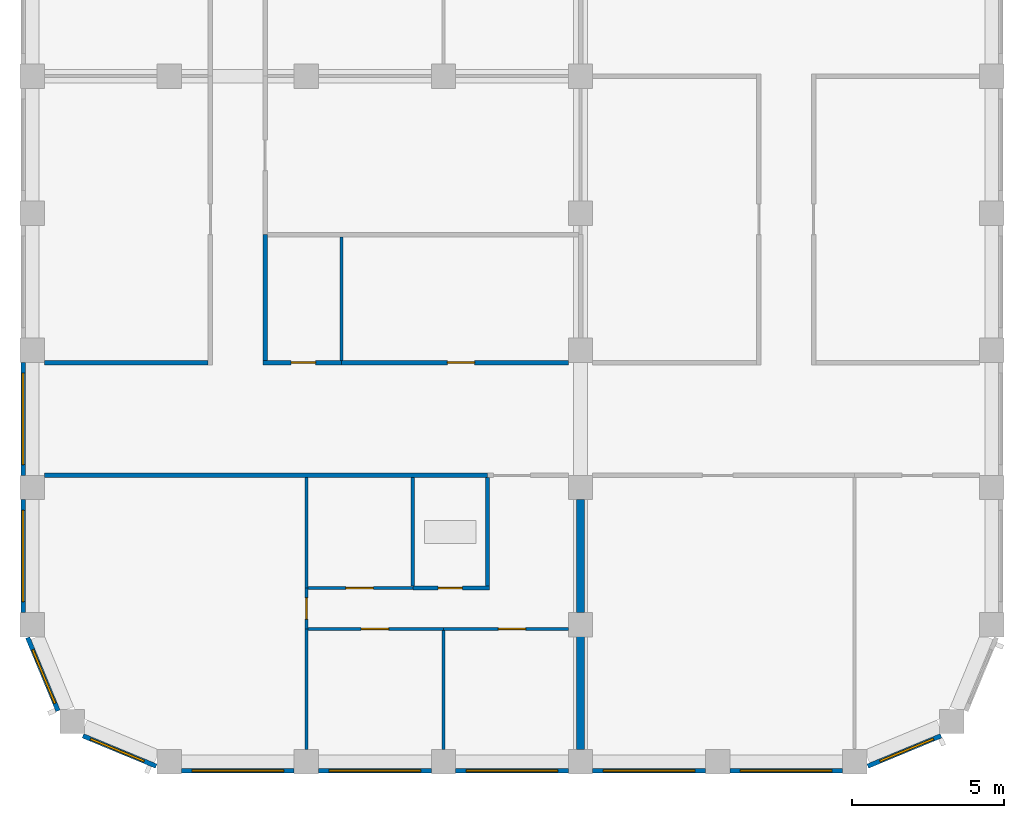
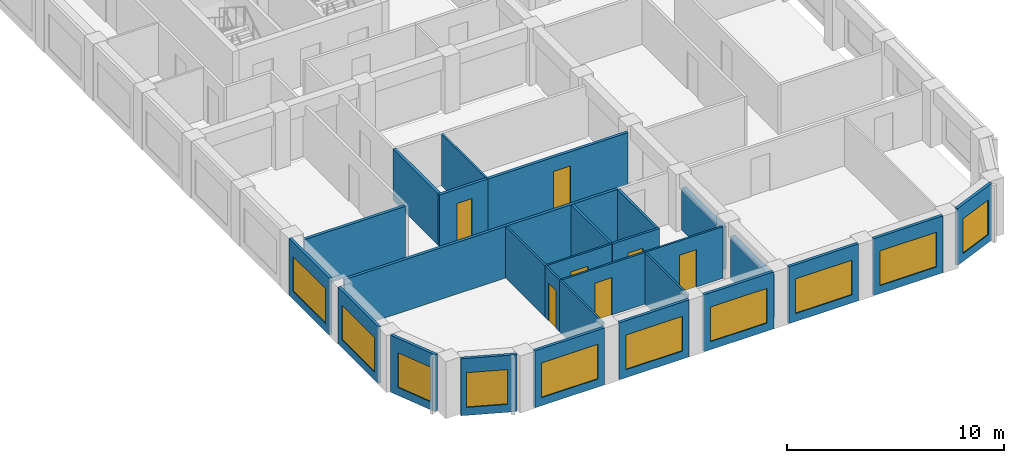
# One storey, part 2 of 9: 28 walls, 10 windows, 7 doors, 17 openings.
"""IFC4 building model written with IfcOpenShell, lengths in metres."""

from ifc_helpers import new_model, si_unit, direction, frame, frame_2d, origin, place, context, subcontext, project, spatial, rectangle, extrude, material, layer, layer_set, type_object, element, fill, save


model = new_model("IFC4")

# Units and contexts
model_context = context("Model", 3, precision=1e-05, world=origin(), true_north=direction((0.0, 1.0)))
body_context = subcontext(model_context, "Body", "Model", "MODEL_VIEW")
ifc_project = project(units=[si_unit("LENGTHUNIT", "METRE"), si_unit("AREAUNIT", "SQUARE_METRE"), si_unit("VOLUMEUNIT", "CUBIC_METRE"), si_unit("PLANEANGLEUNIT", "RADIAN"), si_unit("MASSUNIT", "GRAM", prefix="KILO")], contexts=[model_context])

# Site, building, storey
site_placement = place(None, origin())
site = spatial("IfcSite", under=ifc_project, at=site_placement, CompositionType="ELEMENT")
building_placement = place(site_placement, origin())
building = spatial("IfcBuilding", under=site, at=building_placement, Name="Girih Gate Residences", CompositionType="ELEMENT")
storey_placement = place(building_placement, frame((0.0, 0.0, 213.294921875)))
storey = spatial("IfcBuildingStorey", under=building, at=storey_placement, Name="L59", CompositionType="ELEMENT", Elevation=213.294921875)

# Walls
ifc_material_1 = material(Name="Gypsum board on steel studs", Category="steel")
ifc_layer_1 = layer(ifc_material_1, 0.25)
ifc_layer_set_1 = layer_set([ifc_layer_1], Name="Acoustic separating wall 250 mm")
wall_type_1 = type_object("IfcWallType", Name="Acoustic separating wall 250 mm", PredefinedType="PARTITIONING", material=ifc_layer_set_1)
for number, where, z_axis, x_axis, name in (
    (1, (18.0, 0.39990234375, 0.0), (0.0, 0.0, 1.0), (0.0, 1.0, 0.0), "L59 partition"),
    (2, (18.0, 4.89990234375, 0.0), (0.0, 0.0, 1.0), (0.0, 1.0, 0.0), "L59 partition"),
):
    element("IfcWall", number, at=place(storey_placement, frame(where, z_axis=z_axis, x_axis=x_axis)), inside=storey, type_object=wall_type_1, Name=name, PredefinedType="PARTITIONING", context=body_context, shape_type="SweptSolid", body=[
        extrude(rectangle(XDim=3.7001953125, YDim=0.25, at=frame_2d((1.85009765625, 0.0))), origin(), (0.0, 0.0, 1.0), 2.380126953125),
    ])
ifc_layer_2 = layer(ifc_material_1, 0.14990234375)
ifc_layer_set_2 = layer_set([ifc_layer_2], Name="Compartment wall 150 mm")
wall_type_2 = type_object("IfcWallType", Name="Compartment wall 150 mm", PredefinedType="PARTITIONING", material=ifc_layer_set_2)
wall_1_placement = place(storey_placement, frame((0.39990234375, 9.39990234375, 0.0), z_axis=(0.0, 0.0, 1.0), x_axis=(1.0, 0.0, 0.0)))
element("IfcWall", 3, at=wall_1_placement, inside=storey, type_object=wall_type_2, Name="L59 partition", PredefinedType="PARTITIONING", context=body_context, shape_type="SweptSolid", body=[
    extrude(rectangle(XDim=14.550048828125, YDim=0.14990234375, at=frame_2d((7.27490234375, 0.0))), origin(), (0.0, 0.0, 1.0), 2.900146484375),
])

# Wall, opening, door
wall_2_placement = place(storey_placement, frame((10.14990234375, 13.10009765625, 0.0), z_axis=(0.0, 0.0, 1.0), x_axis=(1.0, 0.0, 0.0)))
wall_2 = element("IfcWall", 4, at=wall_2_placement, inside=storey, type_object=wall_type_2, Name="L59 partition", PredefinedType="PARTITIONING", context=body_context, shape_type="SweptSolid", body=[
    extrude(rectangle(XDim=7.4501953125, YDim=0.14990234375, at=frame_2d((3.72509765625, 0.0))), origin(), (0.0, 0.0, 1.0), 2.900146484375),
])
opening_1_placement = place(wall_2_placement, frame((3.47509765625, 0.0, 0.0)))
opening_1 = element("IfcOpeningElement", 5, at=opening_1_placement, cuts=wall_2, Name="Opening A59-029", PredefinedType="OPENING", context=body_context, shape_type="SweptSolid", body=[
    extrude(rectangle(XDim=0.89990234375, YDim=2.10009765625, at=frame_2d((0.449951171875, 1.050048828125))), frame((0.0, 0.0849609375, 0.0), z_axis=(0.0, -1.0, 0.0), x_axis=(1.0, 0.0, 0.0)), (0.0, 0.0, 1.0), 0.169921875),
])
ifc_material_2 = material(Name="Timber", Category="wood")
door_type_1 = type_object("IfcDoorType", Name="Service room door 900x2100", OperationType="NOTDEFINED", PredefinedType="DOOR", material=ifc_material_2)
door_1_placement = place(opening_1_placement, origin())
door_1 = element("IfcDoor", 6, at=door_1_placement, inside=storey, type_object=door_type_1, Name="Door A59-029", OperationType="SINGLE_SWING_RIGHT", OverallHeight=2.10009765625, OverallWidth=0.89990234375, PredefinedType="DOOR", context=body_context, shape_type="SweptSolid", body=[
    extrude(rectangle(XDim=0.89990234375, YDim=2.10009765625, at=frame_2d((0.449951171875, 1.050048828125))), frame((0.0, 0.02490234375, 0.0), z_axis=(0.0, -1.0, 0.0), x_axis=(1.0, 0.0, 0.0)), (0.0, 0.0, 1.0), 0.050048828125),
])
fill(opening_1, door_1)

wall_3_placement = place(storey_placement, frame((7.574951171875, 13.10009765625, 0.0), z_axis=(0.0, 0.0, 1.0), x_axis=(1.0, 0.0, 0.0)))
wall_3 = element("IfcWall", 7, at=wall_3_placement, inside=storey, type_object=wall_type_2, Name="L59 partition", PredefinedType="PARTITIONING", context=body_context, shape_type="SweptSolid", body=[
    extrude(rectangle(XDim=2.574951171875, YDim=0.14990234375, at=frame_2d((1.28759765625, 0.0))), origin(), (0.0, 0.0, 1.0), 2.900146484375),
])
opening_2_placement = place(wall_3_placement, frame((0.925048828125, 0.0, 0.0)))
opening_2 = element("IfcOpeningElement", 8, at=opening_2_placement, cuts=wall_3, Name="Opening A59-030", PredefinedType="OPENING", context=body_context, shape_type="SweptSolid", body=[
    extrude(rectangle(XDim=0.800048828125, YDim=2.10009765625, at=frame_2d((0.39990234375, 1.050048828125))), frame((0.0, 0.0849609375, 0.0), z_axis=(0.0, -1.0, 0.0), x_axis=(1.0, 0.0, 0.0)), (0.0, 0.0, 1.0), 0.169921875),
])
door_type_2 = type_object("IfcDoorType", Name="Bathroom door 800x2100", OperationType="NOTDEFINED", PredefinedType="DOOR", material=ifc_material_2)
door_2_placement = place(opening_2_placement, origin())
door_2 = element("IfcDoor", 9, at=door_2_placement, inside=storey, type_object=door_type_2, Name="Door A59-030", OperationType="SINGLE_SWING_RIGHT", OverallHeight=2.10009765625, OverallWidth=0.800048828125, PredefinedType="DOOR", context=body_context, shape_type="SweptSolid", body=[
    extrude(rectangle(XDim=0.800048828125, YDim=2.10009765625, at=frame_2d((0.39990234375, 1.050048828125))), frame((0.0, 0.02490234375, 0.0), z_axis=(0.0, -1.0, 0.0), x_axis=(1.0, 0.0, 0.0)), (0.0, 0.0, 1.0), 0.050048828125),
])
fill(opening_2, door_2)

# Walls
wall_4_placement = place(storey_placement, frame((0.39990234375, 13.10009765625, 0.0), z_axis=(0.0, 0.0, 1.0), x_axis=(1.0, 0.0, 0.0)))
element("IfcWall", 10, at=wall_4_placement, inside=storey, type_object=wall_type_2, Name="L59 partition", PredefinedType="PARTITIONING", context=body_context, shape_type="SweptSolid", body=[
    extrude(rectangle(XDim=5.375, YDim=0.14990234375, at=frame_2d((2.6875, 0.0))), origin(), (0.0, 0.0, 1.0), 2.900146484375),
])
wall_5_placement = place(storey_placement, frame((7.64990234375, 13.175048828125, 0.0), z_axis=(0.0, 0.0, 1.0), x_axis=(0.0, 1.0, 0.0)))
element("IfcWall", 11, at=wall_5_placement, inside=storey, type_object=wall_type_2, Name="L59 partition", PredefinedType="PARTITIONING", context=body_context, shape_type="SweptSolid", body=[
    extrude(rectangle(XDim=4.125, YDim=0.14990234375, at=frame_2d((2.0625, 0.0))), origin(), (0.0, 0.0, 1.0), 2.900146484375),
])
ifc_layer_3 = layer(ifc_material_1, 0.10009765625)
ifc_layer_set_3 = layer_set([ifc_layer_3], Name="Partition 100 mm")
wall_type_3 = type_object("IfcWallType", Name="Partition 100 mm", PredefinedType="PARTITIONING", material=ifc_layer_set_3)
wall_6_placement = place(storey_placement, frame((13.5, 0.39990234375, 0.0), z_axis=(0.0, 0.0, 1.0), x_axis=(0.0, 1.0, 0.0)))
element("IfcWall", 12, at=wall_6_placement, inside=storey, type_object=wall_type_3, Name="L59 partition", PredefinedType="PARTITIONING", context=body_context, shape_type="SweptSolid", body=[
    extrude(rectangle(XDim=3.91015625, YDim=0.10009765625, at=frame_2d((1.955078125, 0.0))), origin(), (0.0, 0.0, 1.0), 2.900146484375),
])

# Wall, opening, door
wall_7_placement = place(storey_placement, frame((13.5, 4.360107421875, 0.0), z_axis=(0.0, 0.0, 1.0), x_axis=(-1.0, 0.0, 0.0)))
wall_7 = element("IfcWall", 13, at=wall_7_placement, inside=storey, type_object=wall_type_3, Name="L59 partition", PredefinedType="PARTITIONING", context=body_context, shape_type="SweptSolid", body=[
    extrude(rectangle(XDim=4.449951171875, YDim=0.10009765625, at=frame_2d((2.22509765625, 0.0))), origin(), (0.0, 0.0, 1.0), 2.900146484375),
])
opening_3_placement = place(wall_7_placement, frame((1.800048828125, 0.0, 0.0)))
opening_3 = element("IfcOpeningElement", 14, at=opening_3_placement, cuts=wall_7, Name="Opening A59-002", PredefinedType="OPENING", context=body_context, shape_type="SweptSolid", body=[
    extrude(rectangle(XDim=0.89990234375, YDim=2.10009765625, at=frame_2d((0.449951171875, 1.050048828125))), frame((0.0, 0.06005859375, 0.0), z_axis=(0.0, -1.0, 0.0), x_axis=(1.0, 0.0, 0.0)), (0.0, 0.0, 1.0), 0.1201171875),
])
door_type_3 = type_object("IfcDoorType", Name="Bedroom door 900x2100", OperationType="NOTDEFINED", PredefinedType="DOOR", material=ifc_material_2)
door_3_placement = place(opening_3_placement, origin())
door_3 = element("IfcDoor", 15, at=door_3_placement, inside=storey, type_object=door_type_3, Name="Door A59-002", OperationType="SINGLE_SWING_RIGHT", OverallHeight=2.10009765625, OverallWidth=0.89990234375, PredefinedType="DOOR", context=body_context, shape_type="SweptSolid", body=[
    extrude(rectangle(XDim=0.89990234375, YDim=2.10009765625, at=frame_2d((0.449951171875, 1.050048828125))), frame((0.0, 0.02490234375, 0.0), z_axis=(0.0, -1.0, 0.0), x_axis=(1.0, 0.0, 0.0)), (0.0, 0.0, 1.0), 0.050048828125),
])
fill(opening_3, door_3)

# Wall
wall_8_placement = place(storey_placement, frame((9.0, 0.39990234375, 0.0), z_axis=(0.0, 0.0, 1.0), x_axis=(0.0, 1.0, 0.0)))
element("IfcWall", 16, at=wall_8_placement, inside=storey, type_object=wall_type_3, Name="L59 partition", PredefinedType="PARTITIONING", context=body_context, shape_type="SweptSolid", body=[
    extrude(rectangle(XDim=3.960205078125, YDim=0.10009765625, at=frame_2d((1.97998046875, 0.0))), origin(), (0.0, 0.0, 1.0), 2.900146484375),
])

# Wall, opening, door
wall_9_placement = place(storey_placement, frame((17.60009765625, 4.360107421875, 0.0), z_axis=(0.0, 0.0, 1.0), x_axis=(-1.0, 0.0, 0.0)))
wall_9 = element("IfcWall", 17, at=wall_9_placement, inside=storey, type_object=wall_type_3, Name="L59 partition", PredefinedType="PARTITIONING", context=body_context, shape_type="SweptSolid", body=[
    extrude(rectangle(XDim=4.10009765625, YDim=0.10009765625, at=frame_2d((2.050048828125, 0.0))), origin(), (0.0, 0.0, 1.0), 2.900146484375),
])
opening_4_placement = place(wall_9_placement, frame((1.39990234375, 0.0, 0.0)))
opening_4 = element("IfcOpeningElement", 18, at=opening_4_placement, cuts=wall_9, Name="Opening A59-003", PredefinedType="OPENING", context=body_context, shape_type="SweptSolid", body=[
    extrude(rectangle(XDim=0.89990234375, YDim=2.10009765625, at=frame_2d((0.449951171875, 1.050048828125))), frame((0.0, 0.06005859375, 0.0), z_axis=(0.0, -1.0, 0.0), x_axis=(1.0, 0.0, 0.0)), (0.0, 0.0, 1.0), 0.1201171875),
])
door_4_placement = place(opening_4_placement, origin())
door_4 = element("IfcDoor", 19, at=door_4_placement, inside=storey, type_object=door_type_3, Name="Door A59-003", OperationType="SINGLE_SWING_LEFT", OverallHeight=2.10009765625, OverallWidth=0.89990234375, PredefinedType="DOOR", context=body_context, shape_type="SweptSolid", body=[
    extrude(rectangle(XDim=0.89990234375, YDim=2.10009765625, at=frame_2d((0.449951171875, 1.050048828125))), frame((0.0, 0.02490234375, 0.0), z_axis=(0.0, -1.0, 0.0), x_axis=(1.0, 0.0, 0.0)), (0.0, 0.0, 1.0), 0.050048828125),
])
fill(opening_4, door_4)

wall_10_placement = place(storey_placement, frame((9.050048828125, 5.699951171875, 0.0), z_axis=(0.0, 0.0, 1.0), x_axis=(1.0, 0.0, 0.0)))
wall_10 = element("IfcWall", 20, at=wall_10_placement, inside=storey, type_object=wall_type_3, Name="L59 partition", PredefinedType="PARTITIONING", context=body_context, shape_type="SweptSolid", body=[
    extrude(rectangle(XDim=3.444580078125, YDim=0.10009765625, at=frame_2d((1.72216796875, 0.0))), origin(), (0.0, 0.0, 1.0), 2.900146484375),
])
opening_5_placement = place(wall_10_placement, frame((1.247314453125, 0.0, 0.0)))
opening_5 = element("IfcOpeningElement", 21, at=opening_5_placement, cuts=wall_10, Name="Opening A59-004", PredefinedType="OPENING", context=body_context, shape_type="SweptSolid", body=[
    extrude(rectangle(XDim=0.89990234375, YDim=2.10009765625, at=frame_2d((0.449951171875, 1.050048828125))), frame((0.0, 0.06005859375, 0.0), z_axis=(0.0, -1.0, 0.0), x_axis=(1.0, 0.0, 0.0)), (0.0, 0.0, 1.0), 0.1201171875),
])
door_type_4 = type_object("IfcDoorType", Name="Kitchen door 900x2100", OperationType="NOTDEFINED", PredefinedType="DOOR", material=ifc_material_2)
door_5_placement = place(opening_5_placement, origin())
door_5 = element("IfcDoor", 22, at=door_5_placement, inside=storey, type_object=door_type_4, Name="Door A59-004", OperationType="SINGLE_SWING_LEFT", OverallHeight=2.10009765625, OverallWidth=0.89990234375, PredefinedType="DOOR", context=body_context, shape_type="SweptSolid", body=[
    extrude(rectangle(XDim=0.89990234375, YDim=2.10009765625, at=frame_2d((0.449951171875, 1.050048828125))), frame((0.0, 0.02490234375, 0.0), z_axis=(0.0, -1.0, 0.0), x_axis=(1.0, 0.0, 0.0)), (0.0, 0.0, 1.0), 0.050048828125),
])
fill(opening_5, door_5)

wall_11_placement = place(storey_placement, frame((9.0, 4.360107421875, 0.0), z_axis=(0.0, 0.0, 1.0), x_axis=(0.0, 1.0, 0.0)))
wall_11 = element("IfcWall", 23, at=wall_11_placement, inside=storey, type_object=wall_type_3, Name="L59 partition", PredefinedType="PARTITIONING", context=body_context, shape_type="SweptSolid", body=[
    extrude(rectangle(XDim=1.33984375, YDim=0.10009765625, at=frame_2d((0.669921875, 0.0))), origin(), (0.0, 0.0, 1.0), 2.900146484375),
])
opening_6_placement = place(wall_11_placement, frame((0.320068359375, 0.0, 0.0)))
opening_6 = element("IfcOpeningElement", 24, at=opening_6_placement, cuts=wall_11, Name="Opening A59-005", PredefinedType="OPENING", context=body_context, shape_type="SweptSolid", body=[
    extrude(rectangle(XDim=0.699951171875, YDim=2.10009765625, at=frame_2d((0.35009765625, 1.050048828125))), frame((0.0, 0.06005859375, 0.0), z_axis=(0.0, -1.0, 0.0), x_axis=(1.0, 0.0, 0.0)), (0.0, 0.0, 1.0), 0.1201171875),
])
door_type_5 = type_object("IfcDoorType", Name="Narrow door 700x2100", OperationType="NOTDEFINED", PredefinedType="DOOR", material=ifc_material_2)
door_6_placement = place(opening_6_placement, origin())
door_6 = element("IfcDoor", 25, at=door_6_placement, inside=storey, type_object=door_type_5, Name="Door A59-005", OperationType="SINGLE_SWING_LEFT", OverallHeight=2.10009765625, OverallWidth=0.699951171875, PredefinedType="DOOR", context=body_context, shape_type="SweptSolid", body=[
    extrude(rectangle(XDim=0.699951171875, YDim=2.10009765625, at=frame_2d((0.35009765625, 1.050048828125))), frame((0.0, 0.02490234375, 0.0), z_axis=(0.0, -1.0, 0.0), x_axis=(1.0, 0.0, 0.0)), (0.0, 0.0, 1.0), 0.050048828125),
])
fill(opening_6, door_6)

# Walls
wall_12_placement = place(storey_placement, frame((9.0, 5.699951171875, 0.0), z_axis=(0.0, 0.0, 1.0), x_axis=(0.0, 1.0, 0.0)))
element("IfcWall", 26, at=wall_12_placement, inside=storey, type_object=wall_type_3, Name="L59 partition", PredefinedType="PARTITIONING", context=body_context, shape_type="SweptSolid", body=[
    extrude(rectangle(XDim=3.625, YDim=0.10009765625, at=frame_2d((1.8125, 0.0))), origin(), (0.0, 0.0, 1.0), 2.900146484375),
])
wall_13_placement = place(storey_placement, frame((10.14990234375, 13.175048828125, 0.0), z_axis=(0.0, 0.0, 1.0), x_axis=(0.0, 1.0, 0.0)))
element("IfcWall", 27, at=wall_13_placement, inside=storey, type_object=wall_type_3, Name="L59 partition", PredefinedType="PARTITIONING", context=body_context, shape_type="SweptSolid", body=[
    extrude(rectangle(XDim=4.050048828125, YDim=0.10009765625, at=frame_2d((2.02490234375, 0.0))), origin(), (0.0, 0.0, 1.0), 2.900146484375),
])

# Wall, opening, window
ifc_material_3 = material(Name="Precast concrete C50/60", Category="concrete")
ifc_layer_4 = layer(ifc_material_3, 0.050048828125, Name="Outer leaf")
ifc_material_4 = material(Name="Rigid PIR insulation")
ifc_layer_5 = layer(ifc_material_4, 0.06005859375, Name="Insulation")
ifc_material_5 = material(Name="Precast concrete C40/50", Category="concrete")
ifc_layer_6 = layer(ifc_material_5, 0.0400390625, Name="Inner leaf")
ifc_layer_set_4 = layer_set([ifc_layer_4, ifc_layer_5, ifc_layer_6], Name="Precast concrete C50/60 external wall 150")
wall_type_4 = type_object("IfcWallType", Name="Precast concrete C50/60 external wall 150", PredefinedType="SOLIDWALL", material=ifc_layer_set_4)
wall_14_placement = place(storey_placement, frame((29.8330078125, 0.8486328125, 0.0), z_axis=(0.0, 0.0, 1.0), x_axis=(-0.923885342263, -0.382669406082, 0.0)))
wall_14 = element("IfcWall", 28, at=wall_14_placement, inside=storey, type_object=wall_type_4, Name="External wall SE0270_0000.0", PredefinedType="SOLIDWALL", context=body_context, shape_type="SweptSolid", body=[
    extrude(rectangle(XDim=2.602294921875, YDim=0.14990234375, at=frame_2d((1.30126953125, 0.0))), origin(), (0.0, 0.0, 1.0), 3.2001953125),
])
opening_7_placement = place(wall_14_placement, frame((0.27001953125, 0.0, 0.449951171875)))
opening_7 = element("IfcOpeningElement", 29, at=opening_7_placement, cuts=wall_14, Name="Opening W-2G", PredefinedType="OPENING", context=body_context, shape_type="SweptSolid", body=[
    extrude(rectangle(XDim=1.89990234375, YDim=1.949951171875, at=frame_2d((0.949951171875, 0.97509765625))), frame((0.0, 0.0849609375, 0.0), z_axis=(0.0, -1.0, 0.0), x_axis=(1.0, 0.0, 0.0)), (0.0, 0.0, 1.0), 0.169921875),
])
ifc_material_6 = material(Name="Double glazing in aluminium frame", Category="aluminium")
window_type_1 = type_object("IfcWindowType", Name="Window W-2G 1900x1950", PartitioningType="SINGLE_PANEL", PredefinedType="WINDOW", material=ifc_material_6)
window_1_placement = place(opening_7_placement, origin())
window_1 = element("IfcWindow", 30, at=window_1_placement, inside=storey, type_object=window_type_1, Name="Window W-2G SE0270_0000.0", OverallHeight=1.949951171875, OverallWidth=1.89990234375, PartitioningType="SINGLE_PANEL", PredefinedType="WINDOW", context=body_context, shape_type="SweptSolid", body=[
    extrude(rectangle(XDim=1.89990234375, YDim=1.949951171875, at=frame_2d((0.949951171875, 0.97509765625))), frame((0.0, 0.030029296875, 0.0), z_axis=(0.0, -1.0, 0.0), x_axis=(1.0, 0.0, 0.0)), (0.0, 0.0, 1.0), 0.06005859375),
])
fill(opening_7, window_1)

wall_15_placement = place(storey_placement, frame((-0.300048828125, 9.39990234375, 0.0), z_axis=(0.0, 0.0, 1.0), x_axis=(0.0, 1.0, 0.0)))
wall_15 = element("IfcWall", 31, at=wall_15_placement, inside=storey, type_object=wall_type_4, Name="External wall W0000_0450.7", PredefinedType="SOLIDWALL", context=body_context, shape_type="SweptSolid", body=[
    extrude(rectangle(XDim=3.7001953125, YDim=0.14990234375, at=frame_2d((1.85009765625, 0.0))), origin(), (0.0, 0.0, 1.0), 3.2001953125),
])
opening_8_placement = place(wall_15_placement, frame((0.35009765625, 0.0, 0.449951171875)))
opening_8 = element("IfcOpeningElement", 32, at=opening_8_placement, cuts=wall_15, Name="Opening W-1D", PredefinedType="OPENING", context=body_context, shape_type="SweptSolid", body=[
    extrude(rectangle(XDim=3.0, YDim=1.949951171875, at=frame_2d((1.5, 0.97509765625))), frame((0.0, 0.0849609375, 0.0), z_axis=(0.0, -1.0, 0.0), x_axis=(1.0, 0.0, 0.0)), (0.0, 0.0, 1.0), 0.169921875),
])
window_type_2 = type_object("IfcWindowType", Name="Window W-1D 3000x1950", PartitioningType="SINGLE_PANEL", PredefinedType="WINDOW", material=ifc_material_6)
window_2_placement = place(opening_8_placement, origin())
window_2 = element("IfcWindow", 33, at=window_2_placement, inside=storey, type_object=window_type_2, Name="Window W-1D W0000_0450.7", OverallHeight=1.949951171875, OverallWidth=3.0, PartitioningType="SINGLE_PANEL", PredefinedType="WINDOW", context=body_context, shape_type="SweptSolid", body=[
    extrude(rectangle(XDim=3.0, YDim=1.949951171875, at=frame_2d((1.5, 0.97509765625))), frame((0.0, 0.030029296875, 0.0), z_axis=(0.0, -1.0, 0.0), x_axis=(1.0, 0.0, 0.0)), (0.0, 0.0, 1.0), 0.06005859375),
])
fill(opening_8, window_2)

wall_16_placement = place(storey_placement, frame((-0.300048828125, 4.89990234375, 0.0), z_axis=(0.0, 0.0, 1.0), x_axis=(0.0, 1.0, 0.0)))
wall_16 = element("IfcWall", 34, at=wall_16_placement, inside=storey, type_object=wall_type_4, Name="External wall W0000_0450.8", PredefinedType="SOLIDWALL", context=body_context, shape_type="SweptSolid", body=[
    extrude(rectangle(XDim=3.7001953125, YDim=0.14990234375, at=frame_2d((1.85009765625, 0.0))), origin(), (0.0, 0.0, 1.0), 3.2001953125),
])
opening_9_placement = place(wall_16_placement, frame((0.35009765625, 0.0, 0.449951171875)))
opening_9 = element("IfcOpeningElement", 35, at=opening_9_placement, cuts=wall_16, Name="Opening W-1D", PredefinedType="OPENING", context=body_context, shape_type="SweptSolid", body=[
    extrude(rectangle(XDim=3.0, YDim=1.949951171875, at=frame_2d((1.5, 0.97509765625))), frame((0.0, 0.0849609375, 0.0), z_axis=(0.0, -1.0, 0.0), x_axis=(1.0, 0.0, 0.0)), (0.0, 0.0, 1.0), 0.169921875),
])
window_3_placement = place(opening_9_placement, origin())
window_3 = element("IfcWindow", 36, at=window_3_placement, inside=storey, type_object=window_type_2, Name="Window W-1D W0000_0450.8", OverallHeight=1.949951171875, OverallWidth=3.0, PartitioningType="SINGLE_PANEL", PredefinedType="WINDOW", context=body_context, shape_type="SweptSolid", body=[
    extrude(rectangle(XDim=3.0, YDim=1.949951171875, at=frame_2d((1.5, 0.97509765625))), frame((0.0, 0.030029296875, 0.0), z_axis=(0.0, -1.0, 0.0), x_axis=(1.0, 0.0, 0.0)), (0.0, 0.0, 1.0), 0.06005859375),
])
fill(opening_9, window_3)

wall_17_placement = place(storey_placement, frame((0.8486328125, 1.6669921875, 0.0), z_axis=(0.0, 0.0, 1.0), x_axis=(-0.382669406082, 0.923885342263, 0.0)))
wall_17 = element("IfcWall", 37, at=wall_17_placement, inside=storey, type_object=wall_type_4, Name="External wall SW0000_0045.0", PredefinedType="SOLIDWALL", context=body_context, shape_type="SweptSolid", body=[
    extrude(rectangle(XDim=2.602294921875, YDim=0.14990234375, at=frame_2d((1.30126953125, 0.0))), origin(), (0.0, 0.0, 1.0), 3.2001953125),
])
opening_10_placement = place(wall_17_placement, frame((0.27001953125, 0.0, 0.449951171875)))
opening_10 = element("IfcOpeningElement", 38, at=opening_10_placement, cuts=wall_17, Name="Opening W-2G", PredefinedType="OPENING", context=body_context, shape_type="SweptSolid", body=[
    extrude(rectangle(XDim=1.89990234375, YDim=1.949951171875, at=frame_2d((0.949951171875, 0.97509765625))), frame((0.0, 0.0849609375, 0.0), z_axis=(0.0, -1.0, 0.0), x_axis=(1.0, 0.0, 0.0)), (0.0, 0.0, 1.0), 0.169921875),
])
window_4_placement = place(opening_10_placement, origin())
window_4 = element("IfcWindow", 39, at=window_4_placement, inside=storey, type_object=window_type_1, Name="Window W-2G SW0000_0045.0", OverallHeight=1.949951171875, OverallWidth=1.89990234375, PartitioningType="SINGLE_PANEL", PredefinedType="WINDOW", context=body_context, shape_type="SweptSolid", body=[
    extrude(rectangle(XDim=1.89990234375, YDim=1.949951171875, at=frame_2d((0.949951171875, 0.97509765625))), frame((0.0, 0.030029296875, 0.0), z_axis=(0.0, -1.0, 0.0), x_axis=(1.0, 0.0, 0.0)), (0.0, 0.0, 1.0), 0.06005859375),
])
fill(opening_10, window_4)

wall_18_placement = place(storey_placement, frame((4.0712890625, -0.147216796875, 0.0), z_axis=(0.0, 0.0, 1.0), x_axis=(-0.923885342263, 0.382669406082, 0.0)))
wall_18 = element("IfcWall", 40, at=wall_18_placement, inside=storey, type_object=wall_type_4, Name="External wall SW0013_0013.0", PredefinedType="SOLIDWALL", context=body_context, shape_type="SweptSolid", body=[
    extrude(rectangle(XDim=2.602294921875, YDim=0.14990234375, at=frame_2d((1.30126953125, 0.0))), origin(), (0.0, 0.0, 1.0), 3.2001953125),
])
opening_11_placement = place(wall_18_placement, frame((0.432373046875, 0.0, 0.449951171875)))
opening_11 = element("IfcOpeningElement", 41, at=opening_11_placement, cuts=wall_18, Name="Opening W-2G", PredefinedType="OPENING", context=body_context, shape_type="SweptSolid", body=[
    extrude(rectangle(XDim=1.89990234375, YDim=1.949951171875, at=frame_2d((0.949951171875, 0.97509765625))), frame((0.0, 0.0849609375, 0.0), z_axis=(0.0, -1.0, 0.0), x_axis=(1.0, 0.0, 0.0)), (0.0, 0.0, 1.0), 0.169921875),
])
window_5_placement = place(opening_11_placement, origin())
window_5 = element("IfcWindow", 42, at=window_5_placement, inside=storey, type_object=window_type_1, Name="Window W-2G SW0013_0013.0", OverallHeight=1.949951171875, OverallWidth=1.89990234375, PartitioningType="SINGLE_PANEL", PredefinedType="WINDOW", context=body_context, shape_type="SweptSolid", body=[
    extrude(rectangle(XDim=1.89990234375, YDim=1.949951171875, at=frame_2d((0.949951171875, 0.97509765625))), frame((0.0, 0.030029296875, 0.0), z_axis=(0.0, -1.0, 0.0), x_axis=(1.0, 0.0, 0.0)), (0.0, 0.0, 1.0), 0.06005859375),
])
fill(opening_11, window_5)

wall_19_placement = place(storey_placement, frame((8.60009765625, -0.300048828125, 0.0), z_axis=(0.0, 0.0, 1.0), x_axis=(-1.0, 0.0, 0.0)))
wall_19 = element("IfcWall", 43, at=wall_19_placement, inside=storey, type_object=wall_type_4, Name="External wall S0045_0000.0", PredefinedType="SOLIDWALL", context=body_context, shape_type="SweptSolid", body=[
    extrude(rectangle(XDim=3.7001953125, YDim=0.14990234375, at=frame_2d((1.85009765625, 0.0))), origin(), (0.0, 0.0, 1.0), 3.2001953125),
])
opening_12_placement = place(wall_19_placement, frame((0.35009765625, 0.0, 0.449951171875)))
opening_12 = element("IfcOpeningElement", 44, at=opening_12_placement, cuts=wall_19, Name="Opening W-1D", PredefinedType="OPENING", context=body_context, shape_type="SweptSolid", body=[
    extrude(rectangle(XDim=3.0, YDim=1.949951171875, at=frame_2d((1.5, 0.97509765625))), frame((0.0, 0.0849609375, 0.0), z_axis=(0.0, -1.0, 0.0), x_axis=(1.0, 0.0, 0.0)), (0.0, 0.0, 1.0), 0.169921875),
])
window_6_placement = place(opening_12_placement, origin())
window_6 = element("IfcWindow", 45, at=window_6_placement, inside=storey, type_object=window_type_2, Name="Window W-1D S0045_0000.0", OverallHeight=1.949951171875, OverallWidth=3.0, PartitioningType="SINGLE_PANEL", PredefinedType="WINDOW", context=body_context, shape_type="SweptSolid", body=[
    extrude(rectangle(XDim=3.0, YDim=1.949951171875, at=frame_2d((1.5, 0.97509765625))), frame((0.0, 0.030029296875, 0.0), z_axis=(0.0, -1.0, 0.0), x_axis=(1.0, 0.0, 0.0)), (0.0, 0.0, 1.0), 0.06005859375),
])
fill(opening_12, window_6)

wall_20_placement = place(storey_placement, frame((13.10009765625, -0.300048828125, 0.0), z_axis=(0.0, 0.0, 1.0), x_axis=(-1.0, 0.0, 0.0)))
wall_20 = element("IfcWall", 46, at=wall_20_placement, inside=storey, type_object=wall_type_4, Name="External wall S0045_0000.1", PredefinedType="SOLIDWALL", context=body_context, shape_type="SweptSolid", body=[
    extrude(rectangle(XDim=3.7001953125, YDim=0.14990234375, at=frame_2d((1.85009765625, 0.0))), origin(), (0.0, 0.0, 1.0), 3.2001953125),
])
opening_13_placement = place(wall_20_placement, frame((0.35009765625, 0.0, 0.449951171875)))
opening_13 = element("IfcOpeningElement", 47, at=opening_13_placement, cuts=wall_20, Name="Opening W-1D", PredefinedType="OPENING", context=body_context, shape_type="SweptSolid", body=[
    extrude(rectangle(XDim=3.0, YDim=1.949951171875, at=frame_2d((1.5, 0.97509765625))), frame((0.0, 0.0849609375, 0.0), z_axis=(0.0, -1.0, 0.0), x_axis=(1.0, 0.0, 0.0)), (0.0, 0.0, 1.0), 0.169921875),
])
window_7_placement = place(opening_13_placement, origin())
window_7 = element("IfcWindow", 48, at=window_7_placement, inside=storey, type_object=window_type_2, Name="Window W-1D S0045_0000.1", OverallHeight=1.949951171875, OverallWidth=3.0, PartitioningType="SINGLE_PANEL", PredefinedType="WINDOW", context=body_context, shape_type="SweptSolid", body=[
    extrude(rectangle(XDim=3.0, YDim=1.949951171875, at=frame_2d((1.5, 0.97509765625))), frame((0.0, 0.030029296875, 0.0), z_axis=(0.0, -1.0, 0.0), x_axis=(1.0, 0.0, 0.0)), (0.0, 0.0, 1.0), 0.06005859375),
])
fill(opening_13, window_7)

wall_21_placement = place(storey_placement, frame((17.60009765625, -0.300048828125, 0.0), z_axis=(0.0, 0.0, 1.0), x_axis=(-1.0, 0.0, 0.0)))
wall_21 = element("IfcWall", 49, at=wall_21_placement, inside=storey, type_object=wall_type_4, Name="External wall S0045_0000.2", PredefinedType="SOLIDWALL", context=body_context, shape_type="SweptSolid", body=[
    extrude(rectangle(XDim=3.7001953125, YDim=0.14990234375, at=frame_2d((1.85009765625, 0.0))), origin(), (0.0, 0.0, 1.0), 3.2001953125),
])
opening_14_placement = place(wall_21_placement, frame((0.35009765625, 0.0, 0.449951171875)))
opening_14 = element("IfcOpeningElement", 50, at=opening_14_placement, cuts=wall_21, Name="Opening W-1D", PredefinedType="OPENING", context=body_context, shape_type="SweptSolid", body=[
    extrude(rectangle(XDim=3.0, YDim=1.949951171875, at=frame_2d((1.5, 0.97509765625))), frame((0.0, 0.0849609375, 0.0), z_axis=(0.0, -1.0, 0.0), x_axis=(1.0, 0.0, 0.0)), (0.0, 0.0, 1.0), 0.169921875),
])
window_8_placement = place(opening_14_placement, origin())
window_8 = element("IfcWindow", 51, at=window_8_placement, inside=storey, type_object=window_type_2, Name="Window W-1D S0045_0000.2", OverallHeight=1.949951171875, OverallWidth=3.0, PartitioningType="SINGLE_PANEL", PredefinedType="WINDOW", context=body_context, shape_type="SweptSolid", body=[
    extrude(rectangle(XDim=3.0, YDim=1.949951171875, at=frame_2d((1.5, 0.97509765625))), frame((0.0, 0.030029296875, 0.0), z_axis=(0.0, -1.0, 0.0), x_axis=(1.0, 0.0, 0.0)), (0.0, 0.0, 1.0), 0.06005859375),
])
fill(opening_14, window_8)

wall_22_placement = place(storey_placement, frame((22.10009765625, -0.300048828125, 0.0), z_axis=(0.0, 0.0, 1.0), x_axis=(-1.0, 0.0, 0.0)))
wall_22 = element("IfcWall", 52, at=wall_22_placement, inside=storey, type_object=wall_type_4, Name="External wall S0045_0000.3", PredefinedType="SOLIDWALL", context=body_context, shape_type="SweptSolid", body=[
    extrude(rectangle(XDim=3.7001953125, YDim=0.14990234375, at=frame_2d((1.85009765625, 0.0))), origin(), (0.0, 0.0, 1.0), 3.2001953125),
])
opening_15_placement = place(wall_22_placement, frame((0.35009765625, 0.0, 0.449951171875)))
opening_15 = element("IfcOpeningElement", 53, at=opening_15_placement, cuts=wall_22, Name="Opening W-1D", PredefinedType="OPENING", context=body_context, shape_type="SweptSolid", body=[
    extrude(rectangle(XDim=3.0, YDim=1.949951171875, at=frame_2d((1.5, 0.97509765625))), frame((0.0, 0.0849609375, 0.0), z_axis=(0.0, -1.0, 0.0), x_axis=(1.0, 0.0, 0.0)), (0.0, 0.0, 1.0), 0.169921875),
])
window_9_placement = place(opening_15_placement, origin())
window_9 = element("IfcWindow", 54, at=window_9_placement, inside=storey, type_object=window_type_2, Name="Window W-1D S0045_0000.3", OverallHeight=1.949951171875, OverallWidth=3.0, PartitioningType="SINGLE_PANEL", PredefinedType="WINDOW", context=body_context, shape_type="SweptSolid", body=[
    extrude(rectangle(XDim=3.0, YDim=1.949951171875, at=frame_2d((1.5, 0.97509765625))), frame((0.0, 0.030029296875, 0.0), z_axis=(0.0, -1.0, 0.0), x_axis=(1.0, 0.0, 0.0)), (0.0, 0.0, 1.0), 0.06005859375),
])
fill(opening_15, window_9)

wall_23_placement = place(storey_placement, frame((26.60009765625, -0.300048828125, 0.0), z_axis=(0.0, 0.0, 1.0), x_axis=(-1.0, 0.0, 0.0)))
wall_23 = element("IfcWall", 55, at=wall_23_placement, inside=storey, type_object=wall_type_4, Name="External wall S0045_0000.4", PredefinedType="SOLIDWALL", context=body_context, shape_type="SweptSolid", body=[
    extrude(rectangle(XDim=3.7001953125, YDim=0.14990234375, at=frame_2d((1.85009765625, 0.0))), origin(), (0.0, 0.0, 1.0), 3.2001953125),
])
opening_16_placement = place(wall_23_placement, frame((0.35009765625, 0.0, 0.449951171875)))
opening_16 = element("IfcOpeningElement", 56, at=opening_16_placement, cuts=wall_23, Name="Opening W-1D", PredefinedType="OPENING", context=body_context, shape_type="SweptSolid", body=[
    extrude(rectangle(XDim=3.0, YDim=1.949951171875, at=frame_2d((1.5, 0.97509765625))), frame((0.0, 0.0849609375, 0.0), z_axis=(0.0, -1.0, 0.0), x_axis=(1.0, 0.0, 0.0)), (0.0, 0.0, 1.0), 0.169921875),
])
window_10_placement = place(opening_16_placement, origin())
window_10 = element("IfcWindow", 57, at=window_10_placement, inside=storey, type_object=window_type_2, Name="Window W-1D S0045_0000.4", OverallHeight=1.949951171875, OverallWidth=3.0, PartitioningType="SINGLE_PANEL", PredefinedType="WINDOW", context=body_context, shape_type="SweptSolid", body=[
    extrude(rectangle(XDim=3.0, YDim=1.949951171875, at=frame_2d((1.5, 0.97509765625))), frame((0.0, 0.030029296875, 0.0), z_axis=(0.0, -1.0, 0.0), x_axis=(1.0, 0.0, 0.0)), (0.0, 0.0, 1.0), 0.06005859375),
])
fill(opening_16, window_10)

# Wall
ifc_layer_7 = layer(ifc_material_1, 0.125)
ifc_layer_set_5 = layer_set([ifc_layer_7], Name="Wet room wall 125 mm")
wall_type_5 = type_object("IfcWallType", Name="Wet room wall 125 mm", PredefinedType="PARTITIONING", material=ifc_layer_set_5)
wall_24_placement = place(storey_placement, frame((14.949951171875, 5.762451171875, 0.0), z_axis=(0.0, 0.0, 1.0), x_axis=(0.0, 1.0, 0.0)))
element("IfcWall", 58, at=wall_24_placement, inside=storey, type_object=wall_type_5, Name="L59 partition", PredefinedType="PARTITIONING", context=body_context, shape_type="SweptSolid", body=[
    extrude(rectangle(XDim=3.5625, YDim=0.125, at=frame_2d((1.78125, 0.0))), origin(), (0.0, 0.0, 1.0), 2.900146484375),
])

# Wall, opening, door
wall_25_placement = place(storey_placement, frame((12.49462890625, 5.699951171875, 0.0), z_axis=(0.0, 0.0, 1.0), x_axis=(1.0, 0.0, 0.0)))
wall_25 = element("IfcWall", 59, at=wall_25_placement, inside=storey, type_object=wall_type_5, Name="L59 partition", PredefinedType="PARTITIONING", context=body_context, shape_type="SweptSolid", body=[
    extrude(rectangle(XDim=2.517822265625, YDim=0.125, at=frame_2d((1.2587890625, 0.0))), origin(), (0.0, 0.0, 1.0), 2.900146484375),
])
opening_17_placement = place(wall_25_placement, frame((0.82763671875, 0.0, 0.0)))
opening_17 = element("IfcOpeningElement", 60, at=opening_17_placement, cuts=wall_25, Name="Opening A59-001", PredefinedType="OPENING", context=body_context, shape_type="SweptSolid", body=[
    extrude(rectangle(XDim=0.800048828125, YDim=2.10009765625, at=frame_2d((0.39990234375, 1.050048828125))), frame((0.0, 0.072509765625, 0.0), z_axis=(0.0, -1.0, 0.0), x_axis=(1.0, 0.0, 0.0)), (0.0, 0.0, 1.0), 0.14501953125),
])
door_7_placement = place(opening_17_placement, origin())
door_7 = element("IfcDoor", 61, at=door_7_placement, inside=storey, type_object=door_type_2, Name="Door A59-001", OperationType="SINGLE_SWING_LEFT", OverallHeight=2.10009765625, OverallWidth=0.800048828125, PredefinedType="DOOR", context=body_context, shape_type="SweptSolid", body=[
    extrude(rectangle(XDim=0.800048828125, YDim=2.10009765625, at=frame_2d((0.39990234375, 1.050048828125))), frame((0.0, 0.02490234375, 0.0), z_axis=(0.0, -1.0, 0.0), x_axis=(1.0, 0.0, 0.0)), (0.0, 0.0, 1.0), 0.050048828125),
])
fill(opening_17, door_7)

# Wall
wall_26_placement = place(storey_placement, frame((12.4951171875, 5.762451171875, 0.0), z_axis=(0.0, 0.0, 1.0), x_axis=(0.0, 1.0, 0.0)))
element("IfcWall", 62, at=wall_26_placement, inside=storey, type_object=wall_type_5, Name="L59 partition", PredefinedType="PARTITIONING", context=body_context, shape_type="SweptSolid", body=[
    extrude(rectangle(XDim=3.5625, YDim=0.125, at=frame_2d((1.78125, 0.0))), origin(), (0.0, 0.0, 1.0), 2.900146484375),
])

save(model, "model.ifc")
